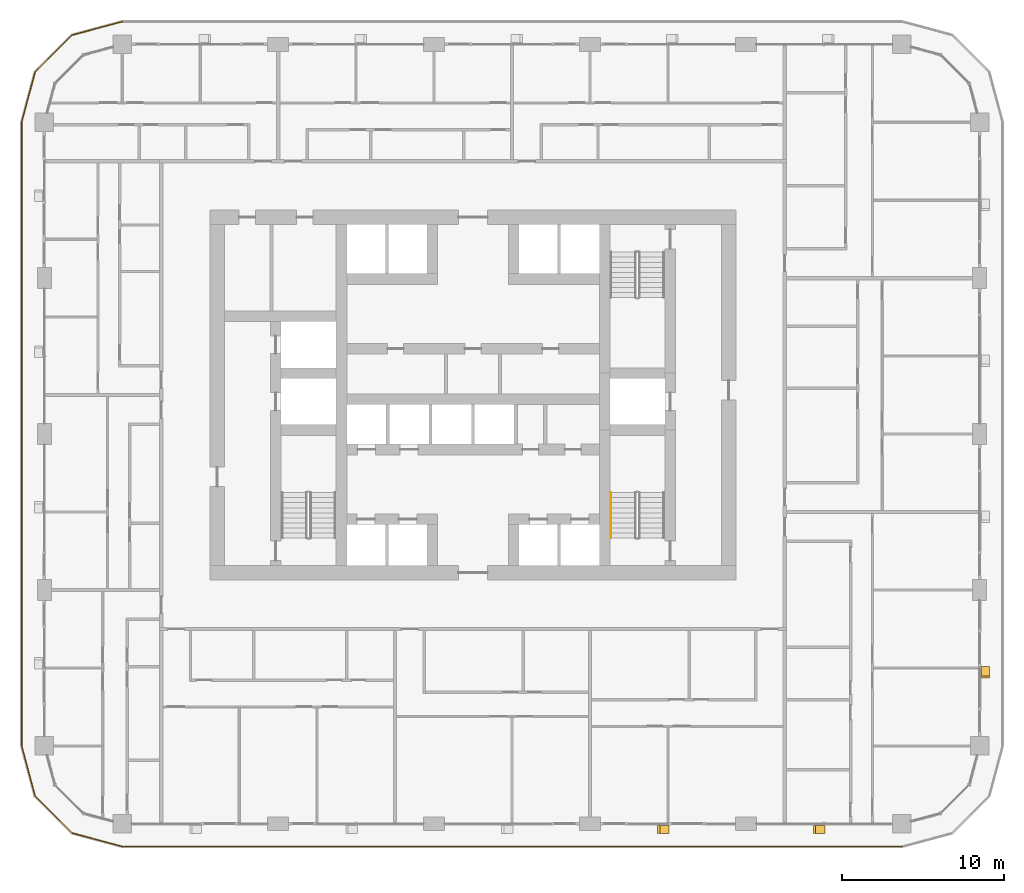
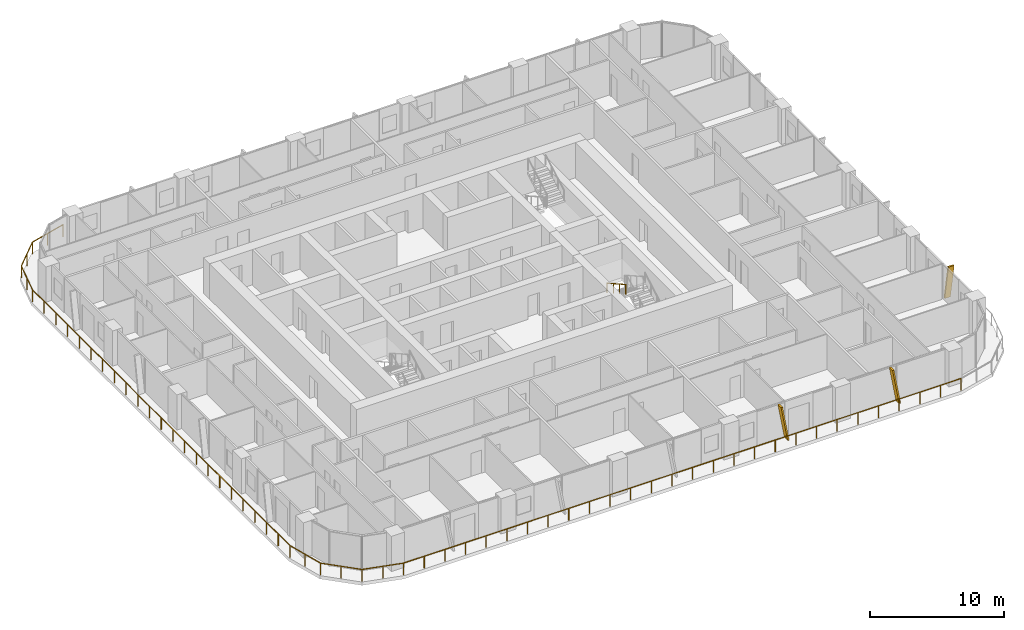
# One storey, part 19 of 22: 3 shading devices, 2 railings.
"""IFC4 building model written with IfcOpenShell, lengths in metres."""

from ifc_helpers import new_model, si_unit, direction, frame, origin, origin_2d, place, context, subcontext, project, spatial, polyline, circle, outline, extrude, material, type_object, element, save


model = new_model("IFC4")

# Units and contexts
model_context = context("Model", 3, precision=1e-05, world=origin(), true_north=direction((0.0, 1.0)))
body_context = subcontext(model_context, "Body", "Model", "MODEL_VIEW")
ifc_project = project(units=[si_unit("LENGTHUNIT", "METRE"), si_unit("AREAUNIT", "SQUARE_METRE"), si_unit("VOLUMEUNIT", "CUBIC_METRE"), si_unit("PLANEANGLEUNIT", "RADIAN"), si_unit("MASSUNIT", "GRAM", prefix="KILO")], contexts=[model_context])

# Site, building, storey
site_placement = place(None, origin())
site = spatial("IfcSite", under=ifc_project, at=site_placement, CompositionType="ELEMENT")
building_placement = place(site_placement, origin())
building = spatial("IfcBuilding", under=site, at=building_placement, Name="Madar Terraces", CompositionType="ELEMENT")
storey_placement = place(building_placement, frame((0.0, 0.0, 76.800048828125)))
storey = spatial("IfcBuildingStorey", under=building, at=storey_placement, Name="L19", CompositionType="ELEMENT", Elevation=76.800048828125)

# Railing
ifc_material_1 = material(Name="Glass, safety glazing, with stainless steel posts", Category="steel")
railing_type_1 = type_object("IfcRailingType", Name="Balcony glass guard 1100", PredefinedType="GUARDRAIL", material=ifc_material_1)
railing_1_placement = place(storey_placement, frame((9.60009765625, 49.39990234375, 0.0)))
element("IfcRailing", 1, at=railing_1_placement, inside=storey, type_object=railing_type_1, Name="Balcony guard", PredefinedType="GUARDRAIL", context=body_context, shape_type="SweptSolid", body=[
    extrude(circle(Radius=0.02392578125, at=origin_2d()), frame((0.0, 0.0, 1.076171875), z_axis=(-0.9659337912, -0.258789317819, 0.0), x_axis=(0.258789317819, -0.9659337912, 0.0)), (0.0, 0.0, 1.0), 3.20947265625),
    extrude(circle(Radius=0.02392578125, at=origin_2d()), frame((-3.10009765625, -0.83056640625, 1.076171875), z_axis=(-0.707106781187, -0.707106781187, 0.0), x_axis=(0.707106781187, -0.707106781187, 0.0)), (0.0, 0.0, 1.0), 3.209228515625),
    extrude(circle(Radius=0.02392578125, at=origin_2d()), frame((-5.369384765625, -3.099853515625, 1.076171875), z_axis=(-0.258860290944, -0.965914773555, 0.0), x_axis=(0.965914773555, -0.258860290944, 0.0)), (0.0, 0.0, 1.0), 3.20947265625),
    extrude(circle(Radius=0.02392578125, at=origin_2d()), frame((-6.2001953125, -6.199951171875, 1.076171875), z_axis=(0.0, -1.0, 0.0), x_axis=(1.0, 0.0, 0.0)), (0.0, 0.0, 1.0), 38.39990234375),
    extrude(circle(Radius=0.02392578125, at=origin_2d()), frame((-6.2001953125, -44.599853515625, 1.076171875), z_axis=(0.258860290944, -0.965914773555, 0.0), x_axis=(0.965914773555, 0.258860290944, 0.0)), (0.0, 0.0, 1.0), 3.20947265625),
    extrude(circle(Radius=0.02392578125, at=origin_2d()), frame((-5.369384765625, -47.699951171875, 1.076171875), z_axis=(0.707106781187, -0.707106781187, 0.0), x_axis=(0.707106781187, 0.707106781187, 0.0)), (0.0, 0.0, 1.0), 3.209228515625),
    extrude(circle(Radius=0.02392578125, at=origin_2d()), frame((-3.10009765625, -49.96923828125, 1.076171875), z_axis=(0.9659337912, -0.258789317819, 0.0), x_axis=(0.258789317819, 0.9659337912, 0.0)), (0.0, 0.0, 1.0), 3.20947265625),
    extrude(circle(Radius=0.02392578125, at=origin_2d()), frame((0.0, -50.7998046875, 1.076171875), z_axis=(1.0, 0.0, 0.0), x_axis=(0.0, 1.0, 0.0)), (0.0, 0.0, 1.0), 48.0),
    extrude(circle(Radius=0.02099609375, at=origin_2d()), origin(), (0.0, 0.0, 1.0), 1.052001953125),
    extrude(circle(Radius=0.02099609375, at=origin_2d()), frame((-1.550048828125, -0.415283203125, 0.0)), (0.0, 0.0, 1.0), 1.052001953125),
    extrude(circle(Radius=0.02099609375, at=origin_2d()), frame((-3.10009765625, -0.83056640625, 0.0)), (0.0, 0.0, 1.0), 1.052001953125),
    extrude(circle(Radius=0.02099609375, at=origin_2d()), frame((-4.23486328125, -1.96533203125, 0.0)), (0.0, 0.0, 1.0), 1.052001953125),
    extrude(circle(Radius=0.02099609375, at=origin_2d()), frame((-5.369384765625, -3.099853515625, 0.0)), (0.0, 0.0, 1.0), 1.052001953125),
    extrude(circle(Radius=0.02099609375, at=origin_2d()), frame((-5.78466796875, -4.64990234375, 0.0)), (0.0, 0.0, 1.0), 1.052001953125),
    extrude(circle(Radius=0.02099609375, at=origin_2d()), frame((-6.2001953125, -6.199951171875, 0.0)), (0.0, 0.0, 1.0), 1.052001953125),
    extrude(circle(Radius=0.02099609375, at=origin_2d()), frame((-6.2001953125, -7.9453125, 0.0)), (0.0, 0.0, 1.0), 1.052001953125),
    extrude(circle(Radius=0.02099609375, at=origin_2d()), frame((-6.2001953125, -9.69091796875, 0.0)), (0.0, 0.0, 1.0), 1.052001953125),
    extrude(circle(Radius=0.02099609375, at=origin_2d()), frame((-6.2001953125, -11.436279296875, 0.0)), (0.0, 0.0, 1.0), 1.052001953125),
    extrude(circle(Radius=0.02099609375, at=origin_2d()), frame((-6.2001953125, -13.181640625, 0.0)), (0.0, 0.0, 1.0), 1.052001953125),
    extrude(circle(Radius=0.02099609375, at=origin_2d()), frame((-6.2001953125, -14.92724609375, 0.0)), (0.0, 0.0, 1.0), 1.052001953125),
    extrude(circle(Radius=0.02099609375, at=origin_2d()), frame((-6.2001953125, -16.672607421875, 0.0)), (0.0, 0.0, 1.0), 1.052001953125),
    extrude(circle(Radius=0.02099609375, at=origin_2d()), frame((-6.2001953125, -18.418212890625, 0.0)), (0.0, 0.0, 1.0), 1.052001953125),
    extrude(circle(Radius=0.02099609375, at=origin_2d()), frame((-6.2001953125, -20.16357421875, 0.0)), (0.0, 0.0, 1.0), 1.052001953125),
    extrude(circle(Radius=0.02099609375, at=origin_2d()), frame((-6.2001953125, -21.908935546875, 0.0)), (0.0, 0.0, 1.0), 1.052001953125),
    extrude(circle(Radius=0.02099609375, at=origin_2d()), frame((-6.2001953125, -23.654541015625, 0.0)), (0.0, 0.0, 1.0), 1.052001953125),
    extrude(circle(Radius=0.02099609375, at=origin_2d()), frame((-6.2001953125, -25.39990234375, 0.0)), (0.0, 0.0, 1.0), 1.052001953125),
    extrude(circle(Radius=0.02099609375, at=origin_2d()), frame((-6.2001953125, -27.145263671875, 0.0)), (0.0, 0.0, 1.0), 1.052001953125),
    extrude(circle(Radius=0.02099609375, at=origin_2d()), frame((-6.2001953125, -28.890869140625, 0.0)), (0.0, 0.0, 1.0), 1.052001953125),
    extrude(circle(Radius=0.02099609375, at=origin_2d()), frame((-6.2001953125, -30.63623046875, 0.0)), (0.0, 0.0, 1.0), 1.052001953125),
    extrude(circle(Radius=0.02099609375, at=origin_2d()), frame((-6.2001953125, -32.381591796875, 0.0)), (0.0, 0.0, 1.0), 1.052001953125),
    extrude(circle(Radius=0.02099609375, at=origin_2d()), frame((-6.2001953125, -34.127197265625, 0.0)), (0.0, 0.0, 1.0), 1.052001953125),
    extrude(circle(Radius=0.02099609375, at=origin_2d()), frame((-6.2001953125, -35.87255859375, 0.0)), (0.0, 0.0, 1.0), 1.052001953125),
    extrude(circle(Radius=0.02099609375, at=origin_2d()), frame((-6.2001953125, -37.6181640625, 0.0)), (0.0, 0.0, 1.0), 1.052001953125),
    extrude(circle(Radius=0.02099609375, at=origin_2d()), frame((-6.2001953125, -39.363525390625, 0.0)), (0.0, 0.0, 1.0), 1.052001953125),
    extrude(circle(Radius=0.02099609375, at=origin_2d()), frame((-6.2001953125, -41.10888671875, 0.0)), (0.0, 0.0, 1.0), 1.052001953125),
    extrude(circle(Radius=0.02099609375, at=origin_2d()), frame((-6.2001953125, -42.8544921875, 0.0)), (0.0, 0.0, 1.0), 1.052001953125),
    extrude(circle(Radius=0.02099609375, at=origin_2d()), frame((-6.2001953125, -44.599853515625, 0.0)), (0.0, 0.0, 1.0), 1.052001953125),
    extrude(circle(Radius=0.02099609375, at=origin_2d()), frame((-5.78466796875, -46.14990234375, 0.0)), (0.0, 0.0, 1.0), 1.052001953125),
    extrude(circle(Radius=0.02099609375, at=origin_2d()), frame((-5.369384765625, -47.699951171875, 0.0)), (0.0, 0.0, 1.0), 1.052001953125),
    extrude(circle(Radius=0.02099609375, at=origin_2d()), frame((-4.23486328125, -48.83447265625, 0.0)), (0.0, 0.0, 1.0), 1.052001953125),
    extrude(circle(Radius=0.02099609375, at=origin_2d()), frame((-3.10009765625, -49.96923828125, 0.0)), (0.0, 0.0, 1.0), 1.052001953125),
    extrude(circle(Radius=0.02099609375, at=origin_2d()), frame((-1.550048828125, -50.384521484375, 0.0)), (0.0, 0.0, 1.0), 1.052001953125),
    extrude(circle(Radius=0.02099609375, at=origin_2d()), frame((0.0, -50.7998046875, 0.0)), (0.0, 0.0, 1.0), 1.052001953125),
    extrude(circle(Radius=0.02099609375, at=origin_2d()), frame((1.77783203125, -50.7998046875, 0.0)), (0.0, 0.0, 1.0), 1.052001953125),
    extrude(circle(Radius=0.02099609375, at=origin_2d()), frame((3.5556640625, -50.7998046875, 0.0)), (0.0, 0.0, 1.0), 1.052001953125),
    extrude(circle(Radius=0.02099609375, at=origin_2d()), frame((5.333251953125, -50.7998046875, 0.0)), (0.0, 0.0, 1.0), 1.052001953125),
    extrude(circle(Radius=0.02099609375, at=origin_2d()), frame((7.111083984375, -50.7998046875, 0.0)), (0.0, 0.0, 1.0), 1.052001953125),
    extrude(circle(Radius=0.02099609375, at=origin_2d()), frame((8.888916015625, -50.7998046875, 0.0)), (0.0, 0.0, 1.0), 1.052001953125),
    extrude(circle(Radius=0.02099609375, at=origin_2d()), frame((10.666748046875, -50.7998046875, 0.0)), (0.0, 0.0, 1.0), 1.052001953125),
    extrude(circle(Radius=0.02099609375, at=origin_2d()), frame((12.4443359375, -50.7998046875, 0.0)), (0.0, 0.0, 1.0), 1.052001953125),
    extrude(circle(Radius=0.02099609375, at=origin_2d()), frame((14.22216796875, -50.7998046875, 0.0)), (0.0, 0.0, 1.0), 1.052001953125),
    extrude(circle(Radius=0.02099609375, at=origin_2d()), frame((16.0, -50.7998046875, 0.0)), (0.0, 0.0, 1.0), 1.052001953125),
    extrude(circle(Radius=0.02099609375, at=origin_2d()), frame((17.77783203125, -50.7998046875, 0.0)), (0.0, 0.0, 1.0), 1.052001953125),
    extrude(circle(Radius=0.02099609375, at=origin_2d()), frame((19.5556640625, -50.7998046875, 0.0)), (0.0, 0.0, 1.0), 1.052001953125),
    extrude(circle(Radius=0.02099609375, at=origin_2d()), frame((21.333251953125, -50.7998046875, 0.0)), (0.0, 0.0, 1.0), 1.052001953125),
    extrude(circle(Radius=0.02099609375, at=origin_2d()), frame((23.111083984375, -50.7998046875, 0.0)), (0.0, 0.0, 1.0), 1.052001953125),
    extrude(circle(Radius=0.02099609375, at=origin_2d()), frame((24.888916015625, -50.7998046875, 0.0)), (0.0, 0.0, 1.0), 1.052001953125),
    extrude(circle(Radius=0.02099609375, at=origin_2d()), frame((26.666748046875, -50.7998046875, 0.0)), (0.0, 0.0, 1.0), 1.052001953125),
    extrude(circle(Radius=0.02099609375, at=origin_2d()), frame((28.4443359375, -50.7998046875, 0.0)), (0.0, 0.0, 1.0), 1.052001953125),
    extrude(circle(Radius=0.02099609375, at=origin_2d()), frame((30.22216796875, -50.7998046875, 0.0)), (0.0, 0.0, 1.0), 1.052001953125),
    extrude(circle(Radius=0.02099609375, at=origin_2d()), frame((32.0, -50.7998046875, 0.0)), (0.0, 0.0, 1.0), 1.052001953125),
    extrude(circle(Radius=0.02099609375, at=origin_2d()), frame((33.77783203125, -50.7998046875, 0.0)), (0.0, 0.0, 1.0), 1.052001953125),
    extrude(circle(Radius=0.02099609375, at=origin_2d()), frame((35.5556640625, -50.7998046875, 0.0)), (0.0, 0.0, 1.0), 1.052001953125),
    extrude(circle(Radius=0.02099609375, at=origin_2d()), frame((37.333251953125, -50.7998046875, 0.0)), (0.0, 0.0, 1.0), 1.052001953125),
    extrude(circle(Radius=0.02099609375, at=origin_2d()), frame((39.111083984375, -50.7998046875, 0.0)), (0.0, 0.0, 1.0), 1.052001953125),
    extrude(circle(Radius=0.02099609375, at=origin_2d()), frame((40.888916015625, -50.7998046875, 0.0)), (0.0, 0.0, 1.0), 1.052001953125),
    extrude(circle(Radius=0.02099609375, at=origin_2d()), frame((42.666748046875, -50.7998046875, 0.0)), (0.0, 0.0, 1.0), 1.052001953125),
    extrude(circle(Radius=0.02099609375, at=origin_2d()), frame((44.4443359375, -50.7998046875, 0.0)), (0.0, 0.0, 1.0), 1.052001953125),
    extrude(circle(Radius=0.02099609375, at=origin_2d()), frame((46.22216796875, -50.7998046875, 0.0)), (0.0, 0.0, 1.0), 1.052001953125),
    extrude(circle(Radius=0.02099609375, at=origin_2d()), frame((48.0, -50.7998046875, 0.0)), (0.0, 0.0, 1.0), 1.052001953125),
])

# Shading devices
ifc_material_2 = material(Name="Aluminium, black anodised", Category="aluminium")
shading_device_type = type_object("IfcShadingDeviceType", Name="Facade fin blade 140 x 500", PredefinedType="USERDEFINED", material=ifc_material_2)
for number, where, z_axis, x_axis, name in (
    (2, (43.1298828125, -0.35009765625, 0.0), (0.0, 0.0, 1.0), (1.0, 0.0, 0.0), "FIN L19 S4"),
    (3, (52.72998046875, -0.35009765625, 0.0), (0.0, 0.0, 1.0), (1.0, 0.0, 0.0), "FIN L19 S5"),
):
    element("IfcShadingDevice", number, at=place(storey_placement, frame(where, z_axis=z_axis, x_axis=x_axis)), inside=storey, type_object=shading_device_type, Name=name, ObjectType="FIN", PredefinedType="USERDEFINED", context=body_context, shape_type="SweptSolid", body=[
        extrude(outline(polyline([(0.0, 0.0), (0.14013671875, 0.0), (-0.42431640625, 3.199951171875), (-0.564208984375, 3.199951171875), (0.0, 0.0)])), frame((0.0, 0.25, 0.0), z_axis=(0.0, -1.0, 0.0), x_axis=(1.0, 0.0, 0.0)), (0.0, 0.0, 1.0), 0.5),
    ])
shading_device_placement = place(storey_placement, frame((62.75, 9.530029296875, 0.0), z_axis=(0.0, 0.0, 1.0), x_axis=(0.0, 1.0, 0.0)))
element("IfcShadingDevice", 4, at=shading_device_placement, inside=storey, type_object=shading_device_type, Name="FIN L19 E1", ObjectType="FIN", PredefinedType="USERDEFINED", context=body_context, shape_type="SweptSolid", body=[
    extrude(outline(polyline([(0.0, 0.0), (0.139892578125, 0.0), (-0.42431640625, 3.199951171875), (-0.564208984375, 3.199951171875), (0.0, 0.0)])), frame((0.0, 0.25, 0.0), z_axis=(0.0, -1.0, 0.0), x_axis=(1.0, 0.0, 0.0)), (0.0, 0.0, 1.0), 0.5),
])

# Railing
ifc_material_3 = material(Name="Stainless steel railing", Category="steel")
railing_type_2 = type_object("IfcRailingType", Name="Stair handrail 900", PredefinedType="HANDRAIL", material=ifc_material_3)
railing_2_placement = place(storey_placement, frame((39.699951171875, 20.389892578125, 1.925048828125)))
element("IfcRailing", 5, at=railing_2_placement, inside=storey, type_object=railing_type_2, Name="L19 ST3 stair handrail 2", PredefinedType="HANDRAIL", context=body_context, shape_type="SweptSolid", body=[
    extrude(circle(Radius=0.02392578125, at=origin_2d()), frame((0.0, 0.0, 0.8759765625), z_axis=(0.0, -0.870815363784, 0.491610213684), x_axis=(1.0, 0.0, 0.0)), (0.0, 0.0, 1.0), 3.20361328125),
    extrude(circle(Radius=0.02099609375, at=origin_2d()), origin(), (0.0, 0.0, 1.0), 0.851806640625),
    extrude(circle(Radius=0.02099609375, at=origin_2d()), frame((0.0, -0.929931640625, 0.52490234375)), (0.0, 0.0, 1.0), 0.851806640625),
    extrude(circle(Radius=0.02099609375, at=origin_2d()), frame((0.0, -1.85986328125, 1.050048828125)), (0.0, 0.0, 1.0), 0.851806640625),
    extrude(circle(Radius=0.02099609375, at=origin_2d()), frame((0.0, -2.789794921875, 1.574951171875)), (0.0, 0.0, 1.0), 0.851806640625),
])

save(model, "model.ifc")
